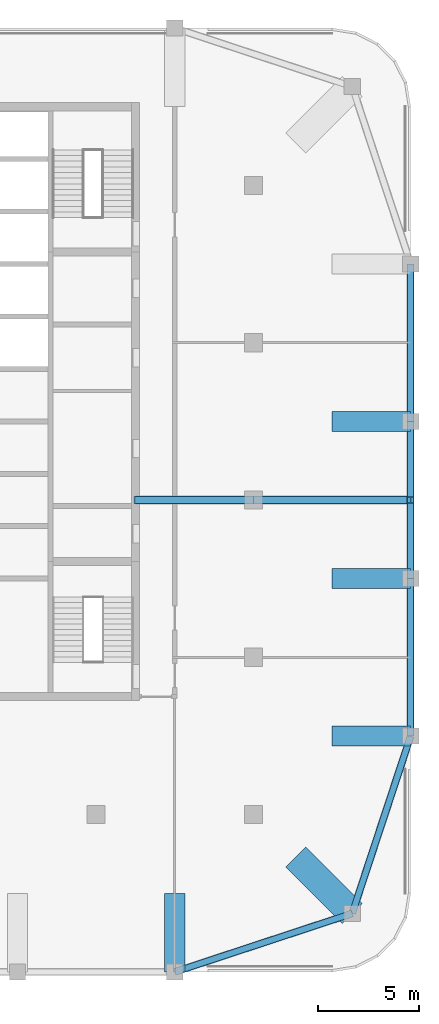
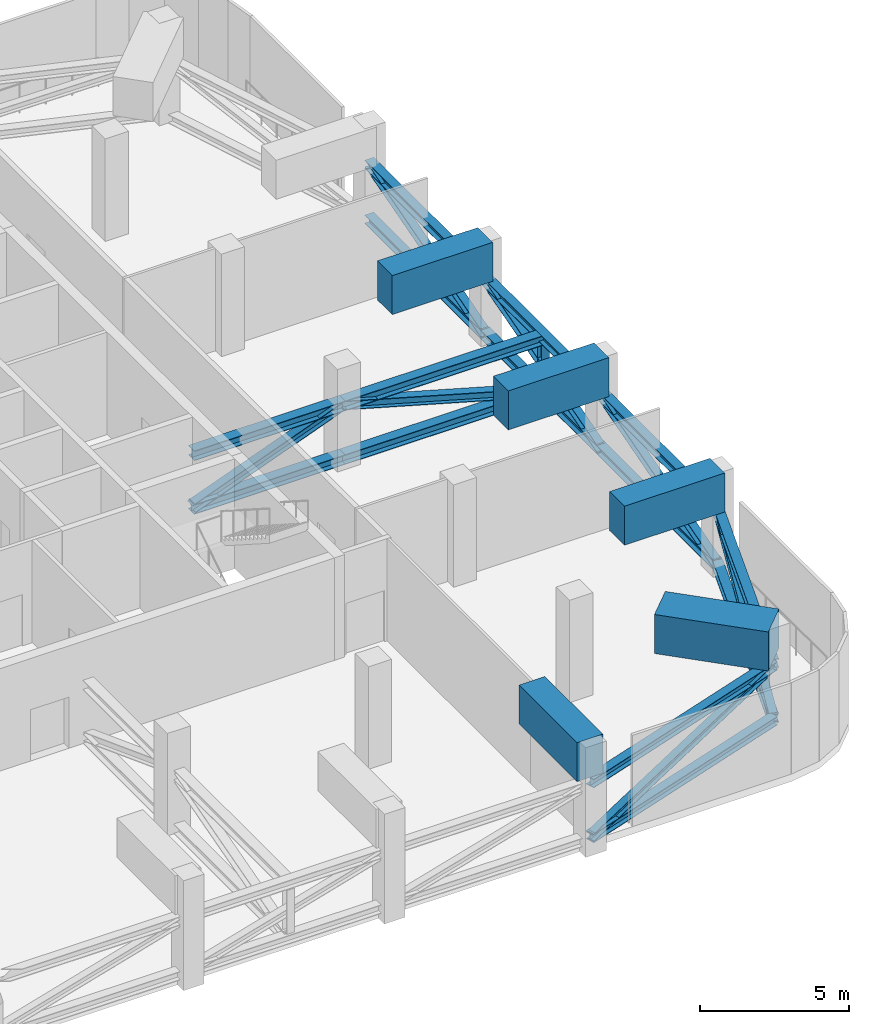
# One storey, part 4 of 13: 22 members, 5 beams.
"""IFC4 building model written with IfcOpenShell, lengths in metres."""

import ifcopenshell
import ifcopenshell.guid

model = None  # the IFC model being written
_history = None  # IfcOwnerHistory: only IFC2X3 demands one
_inside = {}  # id of a spatial element -> (the spatial element, [elements in it])
_under = {}  # id of a project, library or spatial element -> (it, [spatial elements below it])
_declared = {}  # id of a project -> (the project, [libraries it declares])
_typed = {}  # id of a type object -> (the type object, [elements of that type])
_made_of = {}  # id of a material, layer set ... -> (it, [elements and type objects made of it])


def new_model(schema):
    """Start an empty IFC model of exactly this schema.

    Asked for "IFC4X3", IfcOpenShell would pick the latest addendum, in which some entities
    have other attributes; the version numbers below select the first issue.
    IFC2X3 requires an IfcOwnerHistory on every rooted entity: one is made here for all.
    """
    global model, _history
    if schema == "IFC4X3":
        model = ifcopenshell.file(schema_version=(4, 3, 0, 0))
    else:
        model = ifcopenshell.file(schema=schema)
    _inside.clear()
    _under.clear()
    _declared.clear()
    _typed.clear()
    _made_of.clear()
    _history = None
    if model.schema == "IFC2X3":
        org = make("IfcOrganization", Name="unknown")
        user = make(
            "IfcPersonAndOrganization",
            ThePerson=make("IfcPerson", FamilyName="unknown"),
            TheOrganization=org,
        )
        app = make(
            "IfcApplication",
            ApplicationDeveloper=org,
            Version="unknown",
            ApplicationFullName="unknown",
            ApplicationIdentifier="unknown",
        )
        _history = make(
            "IfcOwnerHistory",
            OwningUser=user,
            OwningApplication=app,
            ChangeAction="ADDED",
            CreationDate=0,
        )
    return model


def make(cls, **values):
    """One entity of the class cls with the attributes given. An attribute that is None is left unset."""
    return model.create_entity(
        cls, **{name: value for name, value in values.items() if value is not None}
    )


def rooted(cls, **values):
    """An entity with a GlobalId (a new one), such as an element, a storey or a relation."""
    return make(cls, GlobalId=ifcopenshell.guid.new(), OwnerHistory=_history, **values)


def si_unit(unit_type, name, prefix=None):
    """IfcSIUnit, for example si_unit("LENGTHUNIT", "METRE", prefix="MILLI")."""
    return make("IfcSIUnit", UnitType=unit_type, Prefix=prefix, Name=name)


def assignment(units):
    """IfcUnitAssignment: the units of a project."""
    return None if units is None else make("IfcUnitAssignment", Units=units)


def point(xyz):
    """IfcCartesianPoint."""
    return None if xyz is None else make("IfcCartesianPoint", Coordinates=xyz)


def direction(xyz):
    """IfcDirection."""
    return None if xyz is None else make("IfcDirection", DirectionRatios=xyz)


def frame(location, z_axis=None, x_axis=None):
    """IfcAxis2Placement3D, a coordinate frame: its origin and axes. An axis left out is left unset."""
    return make(
        "IfcAxis2Placement3D",
        Location=point(location),
        Axis=direction(z_axis),
        RefDirection=direction(x_axis),
    )


def frame_2d(location, x_axis=None):
    """IfcAxis2Placement2D, a coordinate frame in the plane: its origin and x axis."""
    return make(
        "IfcAxis2Placement2D", Location=point(location), RefDirection=direction(x_axis)
    )


def origin():
    """The frame at (0, 0, 0) with its axes left unset."""
    return frame((0.0, 0.0, 0.0))


def origin_2d():
    """The frame at (0, 0) in the plane with its x axis left unset."""
    return frame_2d((0.0, 0.0))


def place(relative_to, where):
    """IfcLocalPlacement: puts the frame where relative to a parent placement (None: the world)."""
    return make(
        "IfcLocalPlacement", PlacementRelTo=relative_to, RelativePlacement=where
    )


def context(
    kind, dimensions, precision=None, world=None, true_north=None, identifier=None
):
    """IfcGeometricRepresentationContext, for example the 3D "Model" context."""
    return make(
        "IfcGeometricRepresentationContext",
        ContextIdentifier=identifier,
        ContextType=kind,
        CoordinateSpaceDimension=dimensions,
        Precision=precision,
        WorldCoordinateSystem=world,
        TrueNorth=true_north,
    )


def subcontext(parent, identifier, kind, view, scale=None):
    """IfcGeometricRepresentationSubContext, for example "Body" below "Model"."""
    return make(
        "IfcGeometricRepresentationSubContext",
        ContextIdentifier=identifier,
        ContextType=kind,
        ParentContext=parent,
        TargetScale=scale,
        TargetView=view,
    )


def project(units=None, contexts=None):
    """IfcProject with its units and contexts."""
    return rooted(
        "IfcProject",
        Name="project",
        RepresentationContexts=contexts,
        UnitsInContext=assignment(units),
    )


def spatial(cls, under=None, at=None, **own):
    """A site, building, storey or space (cls), placed at a placement, below another one or the project."""
    s = rooted(cls, ObjectPlacement=at, **own)
    if under is not None:
        _under.setdefault(under.id(), (under, []))[1].append(s)
    return s


def profile(cls, at=None, kind="AREA", **sizes):
    """A parametric profile (cls). Its sizes go by their IFC names, for example OverallWidth=200.0."""
    return make(cls, ProfileType=kind, Position=at, **sizes)


def rectangle(**sizes):
    """IfcRectangleProfileDef."""
    return profile("IfcRectangleProfileDef", **sizes)


def i_section(**sizes):
    """IfcIShapeProfileDef."""
    return profile("IfcIShapeProfileDef", **sizes)


def extrude(swept, where, along, depth):
    """IfcExtrudedAreaSolid: the profile swept, set in the frame where, extruded along a direction by depth."""
    return make(
        "IfcExtrudedAreaSolid",
        SweptArea=swept,
        Position=where,
        ExtrudedDirection=direction(along),
        Depth=depth,
    )


def shape(context_of_items, identifier, shape_type, items):
    """IfcShapeRepresentation: the items that make up one representation, for example the "Body"."""
    return make(
        "IfcShapeRepresentation",
        ContextOfItems=context_of_items,
        RepresentationIdentifier=identifier,
        RepresentationType=shape_type,
        Items=items,
    )


def material(Name=None, Category=None):
    """IfcMaterial."""
    return make("IfcMaterial", Name=Name, Category=Category)


def material_profile(
    of_material, cross_section, Name=None, Category=None, Priority=None
):
    """IfcMaterialProfile: a cross section and its material."""
    return make(
        "IfcMaterialProfile",
        Name=Name,
        Material=of_material,
        Profile=cross_section,
        Priority=Priority,
        Category=Category,
    )


def profile_set(profiles, Name=None, composite=None):
    """IfcMaterialProfileSet."""
    return make(
        "IfcMaterialProfileSet",
        Name=Name,
        MaterialProfiles=profiles,
        CompositeProfile=composite,
    )


def made_of(thing, what):
    """Note that an element or type object is made of a material, layer set ...; save() writes the relation."""
    if what is not None:
        _made_of.setdefault(what.id(), (what, []))[1].append(thing)
    return thing


def type_object(cls, material=None, **own):
    """A type object (cls), such as IfcWallType, which elements share."""
    return made_of(rooted(cls, **own), material)


def element(
    cls,
    number,
    at=None,
    inside=None,
    cuts=None,
    type_object=None,
    material=None,
    context=None,
    identifier="Body",
    shape_type=None,
    held_by="IfcProductDefinitionShape",
    body=None,
    shapes=None,
    **own,
):
    """One element of the class cls, such as IfcWall. Its Tag is "e" and its number.

    at: its placement. inside: the storey or other place that contains it. cuts: it is an
    opening in that element (IfcRelVoidsElement). A single representation is given by context,
    identifier, shape_type and body (its items); several are given by shapes. held_by: the class
    of the entity that holds the representations. save() writes the other relations.
    """
    e = rooted(cls, Tag="e%d" % number, ObjectPlacement=at, **own)
    if body is not None:
        shapes = [shape(context, identifier, shape_type, body)]
    if shapes is not None:
        e.Representation = make(held_by, Representations=shapes)
    if inside is not None:
        _inside.setdefault(inside.id(), (inside, []))[1].append(e)
    if cuts is not None:
        rooted(
            "IfcRelVoidsElement", RelatingBuildingElement=cuts, RelatedOpeningElement=e
        )
    if type_object is not None:
        _typed.setdefault(type_object.id(), (type_object, []))[1].append(e)
    return made_of(e, material)


def aggregate(whole, parts):
    """IfcRelAggregates: a whole, such as a stair, and the parts it consists of."""
    return rooted("IfcRelAggregates", RelatingObject=whole, RelatedObjects=parts)


def save(model, path):
    """Write the relations noted so far, then the file.

    IfcRelAggregates (storeys below a building ...), IfcRelContainedInSpatialStructure (elements
    in a storey), IfcRelDefinesByType, IfcRelAssociatesMaterial and IfcRelDeclares: one each for
    every whole, place, type object, material and project.
    """
    for whole, parts in _under.values():
        aggregate(whole, parts)
    for where, things in _inside.values():
        rooted(
            "IfcRelContainedInSpatialStructure",
            RelatedElements=things,
            RelatingStructure=where,
        )
    for kind, things in _typed.values():
        rooted("IfcRelDefinesByType", RelatedObjects=things, RelatingType=kind)
    for what, things in _made_of.values():
        rooted("IfcRelAssociatesMaterial", RelatedObjects=things, RelatingMaterial=what)
    for by, libraries in _declared.values():
        rooted("IfcRelDeclares", RelatingContext=by, RelatedDefinitions=libraries)
    model.write(path)


model = new_model("IFC4")

# Units and contexts
model_context = context("Model", 3, precision=1e-05, world=origin(), true_north=direction((0.0, 1.0)))
body_context = subcontext(model_context, "Body", "Model", "MODEL_VIEW")
ifc_project = project(units=[si_unit("LENGTHUNIT", "METRE"), si_unit("AREAUNIT", "SQUARE_METRE"), si_unit("VOLUMEUNIT", "CUBIC_METRE"), si_unit("PLANEANGLEUNIT", "RADIAN"), si_unit("MASSUNIT", "GRAM", prefix="KILO")], contexts=[model_context])

# Site, building, storey
site_placement = place(None, origin())
site = spatial("IfcSite", under=ifc_project, at=site_placement, CompositionType="ELEMENT")
building_placement = place(site_placement, origin())
building = spatial("IfcBuilding", under=site, at=building_placement, Name="Ludao Terraces", CompositionType="ELEMENT")
storey_placement = place(building_placement, frame((0.0, 0.0, 241.5)))
storey = spatial("IfcBuildingStorey", under=building, at=storey_placement, Name="L66", CompositionType="ELEMENT", Elevation=241.5)

# Members
ifc_material_1 = material(Name="Steel Q355", Category="steel")
ifc_material_profile_1 = material_profile(ifc_material_1, i_section(OverallWidth=0.35009765625, OverallDepth=0.35009765625, WebThickness=0.011962890625, FlangeThickness=0.01904296875, at=origin_2d()), Name="HW 350X350X12X19")
ifc_profile_set_1 = profile_set([ifc_material_profile_1], Name="Steel Q355")
member_type_1 = type_object("IfcMemberType", Name="Belt truss chord HW 350x350x12x19 Q355", PredefinedType="CHORD", material=ifc_profile_set_1)
for number, where, z_axis, x_axis, name in (
    (1, (96.699951171875, 41.60009765625, 2.425048828125), (0.949760691408, 0.312977042379, 0.0), (-0.312977042379, 0.949760691408, 0.0), "Truss chord L66 BT5T1"),
    (2, (96.699951171875, 41.60009765625, 0.175048828125), (0.949760691408, 0.312977042379, 0.0), (-0.312977042379, 0.949760691408, 0.0), "Truss chord L66 BT5B1"),
    (3, (105.5, 44.5, 2.425048828125), (0.312977042379, 0.949760691408, 0.0), (-0.949760691408, 0.312977042379, 0.0), "Truss chord L66 BT13T1"),
    (4, (105.5, 44.5, 0.175048828125), (0.312977042379, 0.949760691408, 0.0), (-0.949760691408, 0.312977042379, 0.0), "Truss chord L66 BT13B1"),
):
    element("IfcMember", number, at=place(storey_placement, frame(where, z_axis=z_axis, x_axis=x_axis)), inside=storey, type_object=member_type_1, Name=name, PredefinedType="CHORD", context=body_context, shape_type="SweptSolid", body=[
        extrude(i_section(OverallWidth=0.35009765625, OverallDepth=0.35009765625, WebThickness=0.011962890625, FlangeThickness=0.01904296875, at=origin_2d()), origin(), (0.0, 0.0, 1.0), 9.265625),
    ])
for number, where, z_axis, x_axis, name in (
    (5, (108.39990234375, 53.300048828125, 2.425048828125), (0.0, 1.0, 0.0), (-1.0, 0.0, 0.0), "Truss chord L66 BT14T1"),
    (6, (108.39990234375, 53.300048828125, 0.175048828125), (0.0, 1.0, 0.0), (-1.0, 0.0, 0.0), "Truss chord L66 BT14B1"),
):
    element("IfcMember", number, at=place(storey_placement, frame(where, z_axis=z_axis, x_axis=x_axis)), inside=storey, type_object=member_type_1, Name=name, PredefinedType="CHORD", context=body_context, shape_type="SweptSolid", body=[
        extrude(i_section(OverallWidth=0.35009765625, OverallDepth=0.35009765625, WebThickness=0.011962890625, FlangeThickness=0.01904296875, at=origin_2d()), origin(), (0.0, 0.0, 1.0), 7.800048828125),
    ])
for number, where, z_axis, x_axis, name in (
    (7, (108.39990234375, 61.10009765625, 2.425048828125), (0.0, 1.0, 0.0), (-1.0, 0.0, 0.0), "Truss chord L66 BT15T1"),
    (8, (108.39990234375, 61.10009765625, 0.175048828125), (0.0, 1.0, 0.0), (-1.0, 0.0, 0.0), "Truss chord L66 BT15B1"),
):
    element("IfcMember", number, at=place(storey_placement, frame(where, z_axis=z_axis, x_axis=x_axis)), inside=storey, type_object=member_type_1, Name=name, PredefinedType="CHORD", context=body_context, shape_type="SweptSolid", body=[
        extrude(i_section(OverallWidth=0.35009765625, OverallDepth=0.35009765625, WebThickness=0.011962890625, FlangeThickness=0.01904296875, at=origin_2d()), origin(), (0.0, 0.0, 1.0), 7.7998046875),
    ])
for number, where, z_axis, x_axis, name in (
    (9, (108.39990234375, 68.89990234375, 2.425048828125), (0.0, 1.0, 0.0), (-1.0, 0.0, 0.0), "Truss chord L66 BT16T1"),
    (10, (108.39990234375, 68.89990234375, 0.175048828125), (0.0, 1.0, 0.0), (-1.0, 0.0, 0.0), "Truss chord L66 BT16B1"),
):
    element("IfcMember", number, at=place(storey_placement, frame(where, z_axis=z_axis, x_axis=x_axis)), inside=storey, type_object=member_type_1, Name=name, PredefinedType="CHORD", context=body_context, shape_type="SweptSolid", body=[
        extrude(i_section(OverallWidth=0.35009765625, OverallDepth=0.35009765625, WebThickness=0.011962890625, FlangeThickness=0.01904296875, at=origin_2d()), origin(), (0.0, 0.0, 1.0), 7.800048828125),
    ])
ifc_material_profile_2 = material_profile(ifc_material_1, i_section(OverallWidth=0.300048828125, OverallDepth=0.300048828125, WebThickness=0.010009765625, FlangeThickness=0.014892578125, at=origin_2d()), Name="HW 300X300X10X15")
ifc_profile_set_2 = profile_set([ifc_material_profile_2], Name="Steel Q355")
member_type_2 = type_object("IfcMemberType", Name="Belt truss diagonal HW 300x300x10x15 Q355", PredefinedType="BRACE", material=ifc_profile_set_2)
for number, where, z_axis, x_axis, name in (
    (11, (96.699951171875, 41.60009765625, 0.175048828125), (0.922938115412, 0.304138131082, 0.235977186063), (-0.312977042379, 0.949760691408, 0.0), "Truss diagonal L66 BT51"),
    (12, (105.5, 44.5, 0.175048828125), (0.304138131082, 0.922938115412, 0.235977186063), (-0.949760691408, 0.312977042379, 0.0), "Truss diagonal L66 BT131"),
):
    element("IfcMember", number, at=place(storey_placement, frame(where, z_axis=z_axis, x_axis=x_axis)), inside=storey, type_object=member_type_2, Name=name, PredefinedType="BRACE", context=body_context, shape_type="SweptSolid", body=[
        extrude(i_section(OverallWidth=0.300048828125, OverallDepth=0.300048828125, WebThickness=0.010009765625, FlangeThickness=0.014892578125, at=origin_2d()), origin(), (0.0, 0.0, 1.0), 9.534912109375),
    ])
member_1_placement = place(storey_placement, frame((108.39990234375, 53.300048828125, 0.175048828125), z_axis=(0.0, 0.96082405322, 0.277159049563), x_axis=(-1.0, 0.0, 0.0)))
element("IfcMember", 13, at=member_1_placement, inside=storey, type_object=member_type_2, Name="Truss diagonal L66 BT141", PredefinedType="BRACE", context=body_context, shape_type="SweptSolid", body=[
    extrude(i_section(OverallWidth=0.300048828125, OverallDepth=0.300048828125, WebThickness=0.010009765625, FlangeThickness=0.014892578125, at=origin_2d()), origin(), (0.0, 0.0, 1.0), 8.1181640625),
])
member_2_placement = place(storey_placement, frame((108.39990234375, 61.10009765625, 0.175048828125), z_axis=(0.0, 0.960821742945, 0.277167058438), x_axis=(-1.0, 0.0, 0.0)))
element("IfcMember", 14, at=member_2_placement, inside=storey, type_object=member_type_2, Name="Truss diagonal L66 BT151", PredefinedType="BRACE", context=body_context, shape_type="SweptSolid", body=[
    extrude(i_section(OverallWidth=0.300048828125, OverallDepth=0.300048828125, WebThickness=0.010009765625, FlangeThickness=0.014892578125, at=origin_2d()), origin(), (0.0, 0.0, 1.0), 8.117919921875),
])
member_3_placement = place(storey_placement, frame((108.39990234375, 68.89990234375, 0.175048828125), z_axis=(0.0, 0.96082405322, 0.277159049563), x_axis=(-1.0, 0.0, 0.0)))
element("IfcMember", 15, at=member_3_placement, inside=storey, type_object=member_type_2, Name="Truss diagonal L66 BT161", PredefinedType="BRACE", context=body_context, shape_type="SweptSolid", body=[
    extrude(i_section(OverallWidth=0.300048828125, OverallDepth=0.300048828125, WebThickness=0.010009765625, FlangeThickness=0.014892578125, at=origin_2d()), origin(), (0.0, 0.0, 1.0), 8.1181640625),
])
ifc_material_profile_3 = material_profile(ifc_material_1, i_section(OverallWidth=0.39990234375, OverallDepth=0.39990234375, WebThickness=0.012939453125, FlangeThickness=0.02099609375, at=origin_2d()), Name="HW 400X400X13X21")
ifc_profile_set_3 = profile_set([ifc_material_profile_3], Name="Steel Q355")
member_type_3 = type_object("IfcMemberType", Name="Outrigger chord HW 400x400x13x21 Q355", PredefinedType="CHORD", material=ifc_profile_set_3)
for number, where, z_axis, x_axis, name in (
    (16, (94.75, 65.0, 2.39990234375), (1.0, 0.0, 0.0), (0.0, 1.0, 0.0), "Truss chord L66 ORET1"),
    (17, (94.75, 65.0, 0.199951171875), (1.0, 0.0, 0.0), (0.0, 1.0, 0.0), "Truss chord L66 OREB1"),
):
    element("IfcMember", number, at=place(storey_placement, frame(where, z_axis=z_axis, x_axis=x_axis)), inside=storey, type_object=member_type_3, Name=name, PredefinedType="CHORD", context=body_context, shape_type="SweptSolid", body=[
        extrude(i_section(OverallWidth=0.39990234375, OverallDepth=0.39990234375, WebThickness=0.012939453125, FlangeThickness=0.02099609375, at=origin_2d()), origin(), (0.0, 0.0, 1.0), 5.85009765625),
    ])
for number, where, z_axis, x_axis, name in (
    (18, (100.60009765625, 65.0, 2.39990234375), (1.0, 0.0, 0.0), (0.0, 1.0, 0.0), "Truss chord L66 ORET2"),
    (19, (100.60009765625, 65.0, 0.199951171875), (1.0, 0.0, 0.0), (0.0, 1.0, 0.0), "Truss chord L66 OREB2"),
):
    element("IfcMember", number, at=place(storey_placement, frame(where, z_axis=z_axis, x_axis=x_axis)), inside=storey, type_object=member_type_3, Name=name, PredefinedType="CHORD", context=body_context, shape_type="SweptSolid", body=[
        extrude(i_section(OverallWidth=0.39990234375, OverallDepth=0.39990234375, WebThickness=0.012939453125, FlangeThickness=0.02099609375, at=origin_2d()), origin(), (0.0, 0.0, 1.0), 7.7998046875),
    ])
ifc_material_profile_4 = material_profile(ifc_material_1, i_section(OverallWidth=0.35009765625, OverallDepth=0.35009765625, WebThickness=0.011962890625, FlangeThickness=0.01904296875, at=origin_2d()), Name="HW 350X350X12X19")
ifc_profile_set_4 = profile_set([ifc_material_profile_4], Name="Steel Q355")
member_type_4 = type_object("IfcMemberType", Name="Outrigger diagonal HW 350x350x12x19 Q355", PredefinedType="BRACE", material=ifc_profile_set_4)
member_4_placement = place(storey_placement, frame((94.75, 65.0, 0.199951171875), z_axis=(0.93600450987, 0.0, 0.351988007614), x_axis=(0.0, 1.0, 0.0)))
element("IfcMember", 20, at=member_4_placement, inside=storey, type_object=member_type_4, Name="Truss diagonal L66 ORE1", PredefinedType="BRACE", context=body_context, shape_type="SweptSolid", body=[
    extrude(i_section(OverallWidth=0.35009765625, OverallDepth=0.35009765625, WebThickness=0.011962890625, FlangeThickness=0.01904296875, at=origin_2d()), origin(), (0.0, 0.0, 1.0), 6.25),
])
member_5_placement = place(storey_placement, frame((100.60009765625, 65.0, 2.39990234375), z_axis=(0.962449474171, 0.0, -0.271460880548), x_axis=(0.0, 1.0, 0.0)))
element("IfcMember", 21, at=member_5_placement, inside=storey, type_object=member_type_4, Name="Truss diagonal L66 ORE2", PredefinedType="BRACE", context=body_context, shape_type="SweptSolid", body=[
    extrude(i_section(OverallWidth=0.35009765625, OverallDepth=0.35009765625, WebThickness=0.011962890625, FlangeThickness=0.01904296875, at=origin_2d()), origin(), (0.0, 0.0, 1.0), 8.10400390625),
])
ifc_material_profile_5 = material_profile(ifc_material_1, i_section(OverallWidth=0.300048828125, OverallDepth=0.300048828125, WebThickness=0.010009765625, FlangeThickness=0.014892578125, at=origin_2d()), Name="HW 300X300X10X15")
ifc_profile_set_5 = profile_set([ifc_material_profile_5], Name="Steel Q355")
member_type_5 = type_object("IfcMemberType", Name="Outrigger post HW 300x300x10x15 Q355", PredefinedType="POST", material=ifc_profile_set_5)
member_6_placement = place(storey_placement, frame((108.39990234375, 65.0, 0.39990234375), z_axis=(0.0, 0.0, 1.0), x_axis=(1.0, 0.0, 0.0)))
element("IfcMember", 22, at=member_6_placement, inside=storey, type_object=member_type_5, Name="Truss post L66 ORE3", PredefinedType="POST", context=body_context, shape_type="SweptSolid", body=[
    extrude(i_section(OverallWidth=0.300048828125, OverallDepth=0.300048828125, WebThickness=0.010009765625, FlangeThickness=0.014892578125, at=origin_2d()), origin(), (0.0, 0.0, 1.0), 1.800048828125),
])

# Beams
ifc_material_2 = material(Name="Concrete C60", Category="concrete")
ifc_material_profile_6 = material_profile(ifc_material_2, rectangle(XDim=1.0, YDim=1.60009765625, at=origin_2d()), Name="1000 X 1600")
ifc_profile_set_6 = profile_set([ifc_material_profile_6], Name="Concrete C60")
beam_type_1 = type_object("IfcBeamType", Name="RC beam 1000x1600 C60", PredefinedType="BEAM", material=ifc_profile_set_6)
for number, where, z_axis, x_axis, name in (
    (23, (96.699951171875, 41.60009765625, 3.39990234375), (0.0, 1.0, 0.0), (-1.0, 0.0, 0.0), "Transfer girder L66 corbel 9"),
    (24, (108.39990234375, 53.300048828125, 3.39990234375), (-1.0, 0.0, 0.0), (0.0, -1.0, 0.0), "Transfer girder L66 corbel 11"),
    (25, (108.39990234375, 61.10009765625, 3.39990234375), (-1.0, 0.0, 0.0), (0.0, -1.0, 0.0), "Transfer girder L66 corbel 12"),
    (26, (108.39990234375, 68.89990234375, 3.39990234375), (-1.0, 0.0, 0.0), (0.0, -1.0, 0.0), "Transfer girder L66 corbel 13"),
):
    element("IfcBeam", number, at=place(storey_placement, frame(where, z_axis=z_axis, x_axis=x_axis)), inside=storey, type_object=beam_type_1, Name=name, PredefinedType="BEAM", context=body_context, shape_type="SweptSolid", body=[
        extrude(rectangle(XDim=1.0, YDim=1.60009765625, at=origin_2d()), origin(), (0.0, 0.0, 1.0), 3.89990234375),
    ])
ifc_material_profile_7 = material_profile(ifc_material_2, rectangle(XDim=1.39990234375, YDim=1.60009765625, at=origin_2d()), Name="1400 X 1600")
ifc_profile_set_7 = profile_set([ifc_material_profile_7], Name="Concrete C60")
beam_type_2 = type_object("IfcBeamType", Name="RC beam 1400x1600 C60", PredefinedType="BEAM", material=ifc_profile_set_7)
beam_placement = place(storey_placement, frame((105.5, 44.5, 3.39990234375), z_axis=(-0.707106781187, 0.707106781187, 0.0), x_axis=(-0.707106781187, -0.707106781187, 0.0)))
element("IfcBeam", 27, at=beam_placement, inside=storey, type_object=beam_type_2, Name="Transfer girder L66 corner SE", PredefinedType="BEAM", context=body_context, shape_type="SweptSolid", body=[
    extrude(rectangle(XDim=1.39990234375, YDim=1.60009765625, at=origin_2d()), origin(), (0.0, 0.0, 1.0), 3.9599609375),
])

save(model, "model.ifc")
